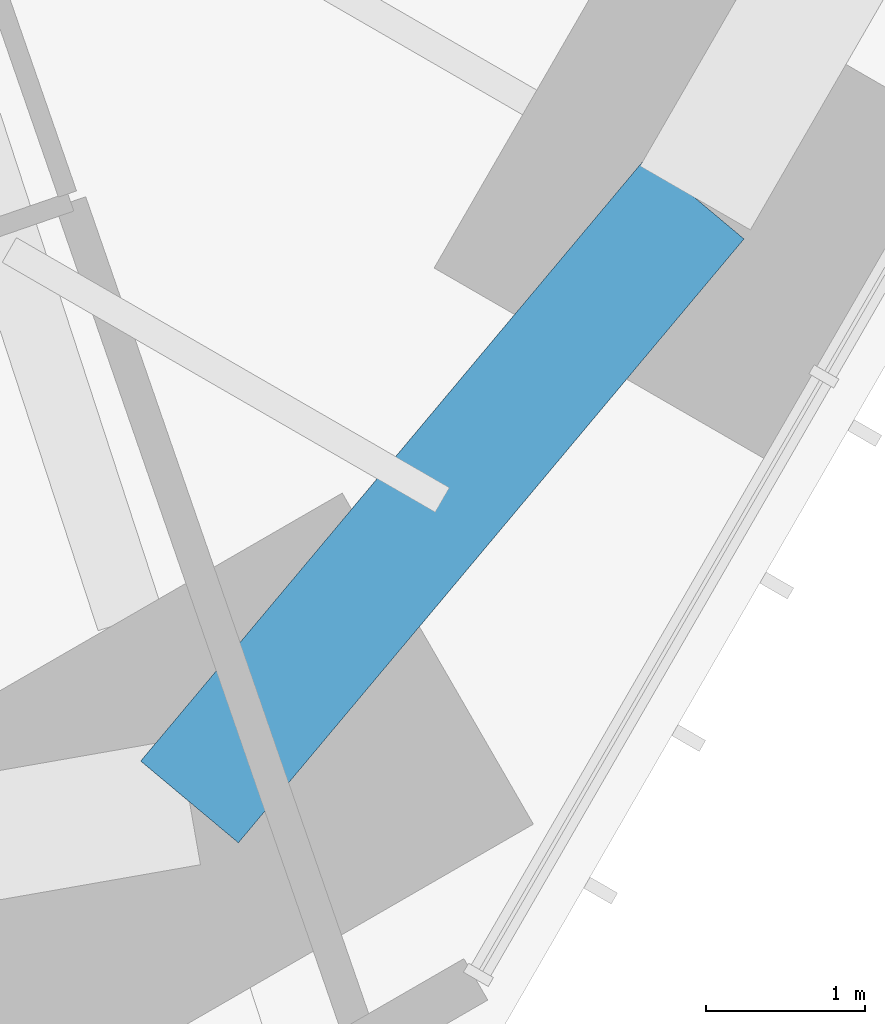
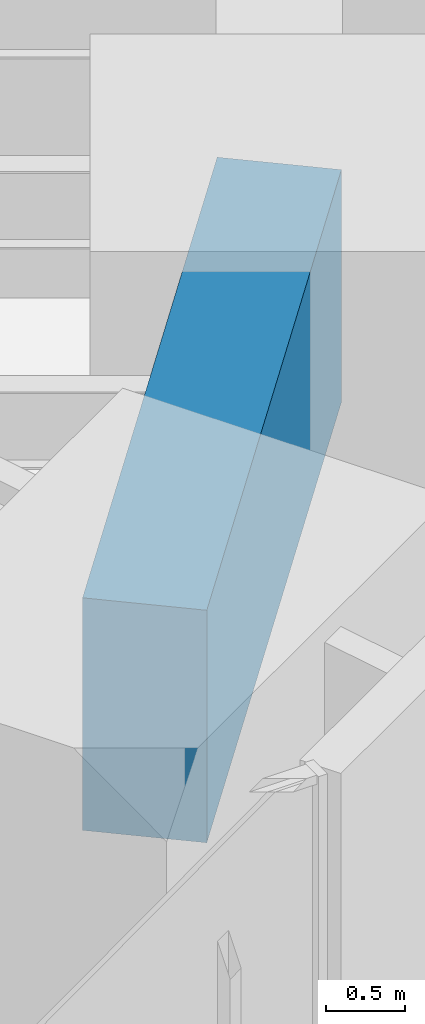
# One storey, part 83 of 256: 1 beam.
"""IFC4 building model written with IfcOpenShell, lengths in metres."""

from ifc_helpers import new_model, si_unit, direction, frame, origin, origin_2d, place, context, subcontext, project, spatial, rectangle, extrude, material, material_profile, profile_set, type_object, element, save


model = new_model("IFC4")

# Units and contexts
model_context = context("Model", 3, precision=1e-05, world=origin(), true_north=direction((0.0, 1.0)))
body_context = subcontext(model_context, "Body", "Model", "MODEL_VIEW")
ifc_project = project(units=[si_unit("LENGTHUNIT", "METRE"), si_unit("AREAUNIT", "SQUARE_METRE"), si_unit("VOLUMEUNIT", "CUBIC_METRE"), si_unit("PLANEANGLEUNIT", "RADIAN"), si_unit("MASSUNIT", "GRAM", prefix="KILO")], contexts=[model_context])

# Site, building, storey
site_placement = place(None, origin())
site = spatial("IfcSite", under=ifc_project, at=site_placement, CompositionType="ELEMENT")
building_placement = place(site_placement, origin())
building = spatial("IfcBuilding", under=site, at=building_placement, Name="Sandreach Pilgrim Tower", CompositionType="ELEMENT")
storey_placement = place(building_placement, frame((0.0, 0.0, 23.0)))
storey = spatial("IfcBuildingStorey", under=building, at=storey_placement, Name="L04", CompositionType="ELEMENT", Elevation=23.0)

# Beam
ifc_material = material(Name="Concrete 10000 psi", Category="concrete")
ifc_material_profile = material_profile(ifc_material, rectangle(XDim=0.800048828125, YDim=1.800048828125, at=origin_2d()), Name="RC800X1800")
ifc_profile_set = profile_set([ifc_material_profile], Name="Concrete 10000 psi")
beam_type = type_object("IfcBeamType", Name="Spandrel beam RC800X1800", PredefinedType="SPANDREL", material=ifc_profile_set)
beam_placement = place(storey_placement, frame((12.28173828125, -24.10498046875, 2.739990234375), z_axis=(-0.642008193922, -0.766697775488, 0.0), x_axis=(0.766697775488, -0.642008193922, 0.0)))
element("IfcBeam", 1, at=beam_placement, inside=storey, type_object=beam_type, Name="BM L04 SP21", PredefinedType="SPANDREL", context=body_context, shape_type="SweptSolid", body=[
    extrude(rectangle(XDim=0.800048828125, YDim=1.800048828125, at=origin_2d()), origin(), (0.0, 0.0, 1.0), 4.94580078125),
])

save(model, "model.ifc")
